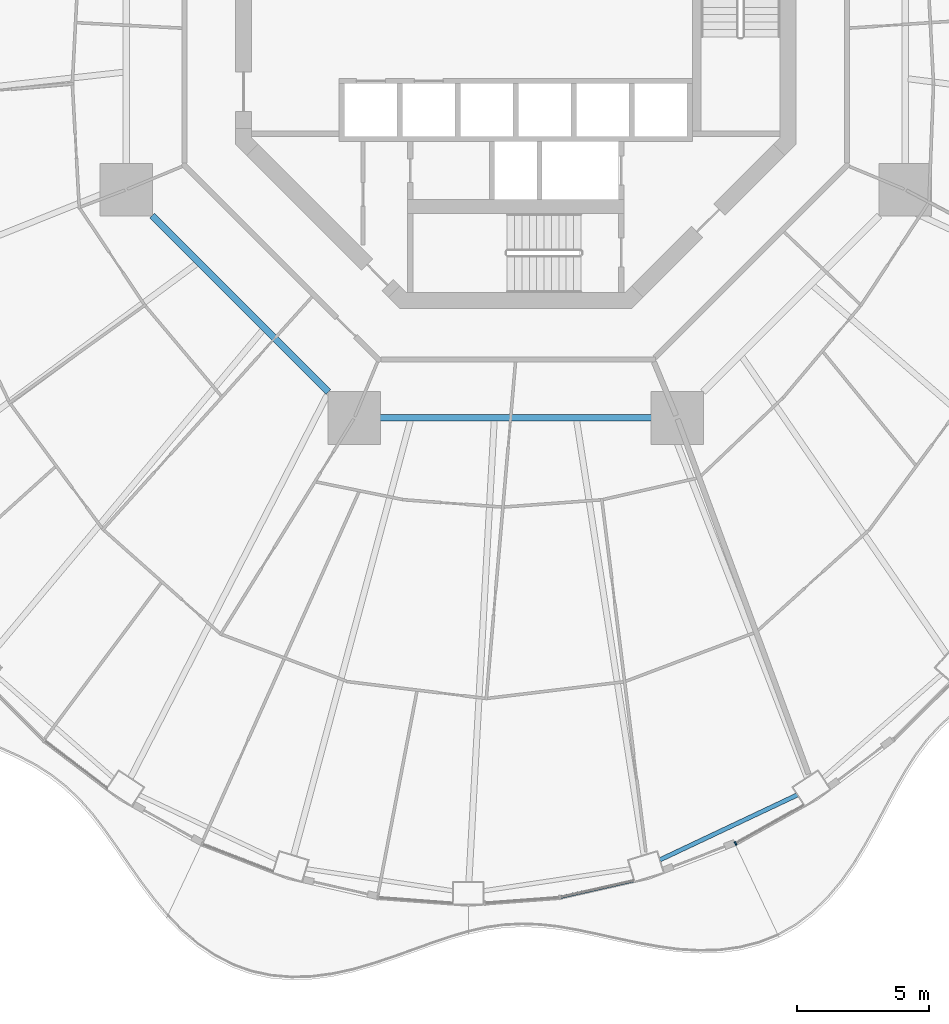
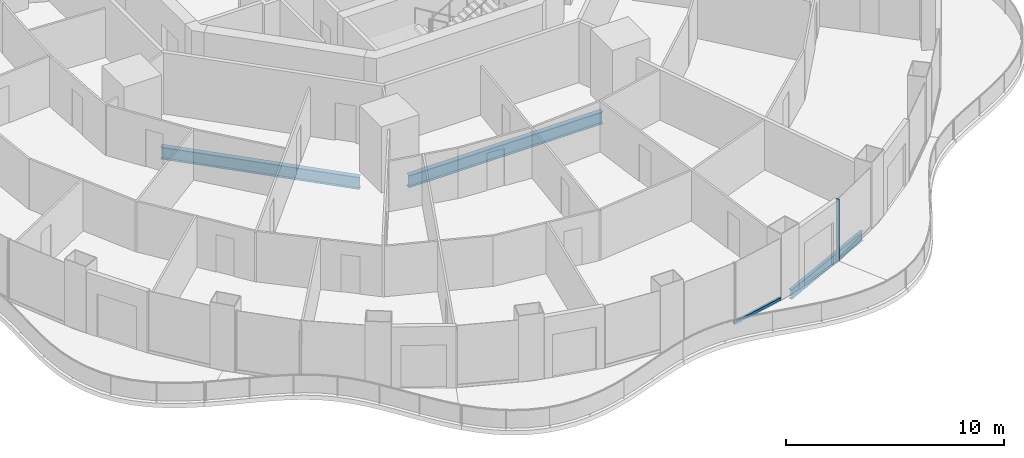
# One storey, part 4 of 20: 3 beams, 2 members, 2 elements without a shape of their own.
"""IFC4 building model written with IfcOpenShell, lengths in metres."""

from ifc_helpers import new_model, si_unit, direction, frame, origin, origin_2d, place, context, subcontext, project, spatial, rectangle, i_section, extrude, material, layer, layer_set, material_profile, profile_set, type_object, element, aggregate, save


model = new_model("IFC4")

# Units and contexts
model_context = context("Model", 3, precision=1e-05, world=origin(), true_north=direction((0.0, 1.0)))
body_context = subcontext(model_context, "Body", "Model", "MODEL_VIEW")
ifc_project = project(units=[si_unit("LENGTHUNIT", "METRE"), si_unit("AREAUNIT", "SQUARE_METRE"), si_unit("VOLUMEUNIT", "CUBIC_METRE"), si_unit("PLANEANGLEUNIT", "RADIAN"), si_unit("MASSUNIT", "GRAM", prefix="KILO")], contexts=[model_context])

# Site, building, storey
site_placement = place(None, origin())
site = spatial("IfcSite", under=ifc_project, at=site_placement, CompositionType="ELEMENT")
building_placement = place(site_placement, origin())
building = spatial("IfcBuilding", under=site, at=building_placement, Name="Nagisa Residences", CompositionType="ELEMENT")
storey_placement = place(building_placement, frame((0.0, 0.0, 123.300048828125)))
storey = spatial("IfcBuildingStorey", under=building, at=storey_placement, Name="L30", CompositionType="ELEMENT", Elevation=123.300048828125)

# Curtain wall, member
ifc_material_1 = material(Name="Concrete-coloured aluminium curtain wall system", Category="concrete")
ifc_layer = layer(ifc_material_1, 0.159912109375)
ifc_layer_set = layer_set([ifc_layer], Name="CW1 CURTAIN WALL")
curtain_wall_type = type_object("IfcCurtainWallType", Name="CW1 CURTAIN WALL", PredefinedType="NOTDEFINED", material=ifc_layer_set)
curtain_wall_1_placement = place(storey_placement, origin())
curtain_wall_1 = element("IfcCurtainWall", 1, at=curtain_wall_1_placement, inside=storey, type_object=curtain_wall_type, Name="cw:CW1:L30:39", PredefinedType="NOTDEFINED")
ifc_material_2 = material(Name="Concrete-coloured aluminium", Category="concrete")
ifc_material_profile_1 = material_profile(ifc_material_2, rectangle(XDim=0.159912109375, YDim=0.06005859375, at=origin_2d()), Name="CW1 MULLION 160x60")
ifc_profile_set_1 = profile_set([ifc_material_profile_1], Name="Concrete-coloured aluminium")
member_type_1 = type_object("IfcMemberType", Name="CW1 MULLION 160x60", PredefinedType="MULLION", material=ifc_profile_set_1)
member_1_placement = place(storey_placement, frame((8.341552734375, -30.9296875, 0.0), z_axis=(0.0, 0.0, 1.0), x_axis=(-0.489376918501, 0.872072377523, 0.0)))
member_1 = element("IfcMember", 2, at=member_1_placement, type_object=member_type_1, Name="CW1 mullion", PredefinedType="MULLION", context=body_context, shape_type="SweptSolid", body=[
    extrude(rectangle(XDim=0.159912109375, YDim=0.06005859375, at=origin_2d()), origin(), (0.0, 0.0, 1.0), 3.43994140625),
])
aggregate(curtain_wall_1, [member_1])

curtain_wall_2_placement = place(storey_placement, origin())
curtain_wall_2 = element("IfcCurtainWall", 3, at=curtain_wall_2_placement, inside=storey, type_object=curtain_wall_type, Name="cw:CW1:L30:37", PredefinedType="NOTDEFINED")
ifc_material_3 = material(Name="Concrete-coloured aluminium", Category="concrete")
ifc_material_profile_2 = material_profile(ifc_material_3, rectangle(XDim=0.1201171875, YDim=0.14990234375, at=origin_2d()), Name="CW1 TRANSOM 120x150")
ifc_profile_set_2 = profile_set([ifc_material_profile_2], Name="Concrete-coloured aluminium")
member_type_2 = type_object("IfcMemberType", Name="CW1 TRANSOM 120x150", PredefinedType="USERDEFINED", material=ifc_profile_set_2)
member_2_placement = place(storey_placement, frame((1.645751953125, -32.976318359375, 0.074951171875), z_axis=(0.975320849653, 0.220792301117, 0.0), x_axis=(-0.220792301117, 0.975320849653, 0.0)))
member_2 = element("IfcMember", 4, at=member_2_placement, type_object=member_type_2, Name="CW1 transom", ObjectType="TRANSOM", PredefinedType="USERDEFINED", context=body_context, shape_type="SweptSolid", body=[
    extrude(rectangle(XDim=0.1201171875, YDim=0.14990234375, at=origin_2d()), origin(), (0.0, 0.0, 1.0), 2.890380859375),
])
aggregate(curtain_wall_2, [member_2])

# Beams
ifc_material_4 = material(Name="Steel ASTM A572 Gr 50", Category="steel")
ifc_material_profile_3 = material_profile(ifc_material_4, i_section(OverallWidth=0.25390625, OverallDepth=0.68408203125, WebThickness=0.012451171875, FlangeThickness=0.018798828125, at=origin_2d()), Name="W690x140")
ifc_profile_set_3 = profile_set([ifc_material_profile_3], Name="Steel ASTM A572 Gr 50")
beam_type_1 = type_object("IfcBeamType", Name="Inner ring beam W690x140", PredefinedType="BEAM", material=ifc_profile_set_3)
beam_1_placement = place(storey_placement, frame((-13.796142578125, -7.10888671875, -0.60205078125), z_axis=(0.707106781187, -0.707106781187, 0.0), x_axis=(0.707106781187, 0.707106781187, 0.0)))
element("IfcBeam", 5, at=beam_1_placement, inside=storey, type_object=beam_type_1, Name="beam:L30:ib5", PredefinedType="BEAM", context=body_context, shape_type="SweptSolid", body=[
    extrude(i_section(OverallWidth=0.25390625, OverallDepth=0.68408203125, WebThickness=0.012451171875, FlangeThickness=0.018798828125, at=origin_2d()), origin(), (0.0, 0.0, 1.0), 9.457275390625),
])
beam_2_placement = place(storey_placement, frame((-5.142822265625, -14.781982421875, -0.60205078125), z_axis=(1.0, 0.0, 0.0), x_axis=(0.0, 1.0, 0.0)))
element("IfcBeam", 6, at=beam_2_placement, inside=storey, type_object=beam_type_1, Name="beam:L30:ib6", PredefinedType="BEAM", context=body_context, shape_type="SweptSolid", body=[
    extrude(i_section(OverallWidth=0.25390625, OverallDepth=0.68408203125, WebThickness=0.012451171875, FlangeThickness=0.018798828125, at=origin_2d()), origin(), (0.0, 0.0, 1.0), 10.28564453125),
])
ifc_material_5 = material(Name="Steel ASTM A572 Gr 50", Category="steel")
ifc_material_profile_4 = material_profile(ifc_material_5, i_section(OverallWidth=0.166015625, OverallDepth=0.534912109375, WebThickness=0.01025390625, FlangeThickness=0.0166015625, at=origin_2d()), Name="W530x85")
ifc_profile_set_4 = profile_set([ifc_material_profile_4], Name="Steel ASTM A572 Gr 50")
beam_type_2 = type_object("IfcBeamType", Name="Perimeter ring beam W530x85", PredefinedType="BEAM", material=ifc_profile_set_4)
beam_3_placement = place(storey_placement, frame((5.468505859375, -31.55029296875, -0.527587890625), z_axis=(0.904186034847, 0.427138870143, 0.0), x_axis=(-0.427138870143, 0.904186034847, 0.0)))
element("IfcBeam", 7, at=beam_3_placement, inside=storey, type_object=beam_type_2, Name="beam:L30:pb20", PredefinedType="BEAM", context=body_context, shape_type="SweptSolid", body=[
    extrude(i_section(OverallWidth=0.166015625, OverallDepth=0.534912109375, WebThickness=0.01025390625, FlangeThickness=0.0166015625, at=origin_2d()), origin(), (0.0, 0.0, 1.0), 5.772216796875),
])

save(model, "model.ifc")
